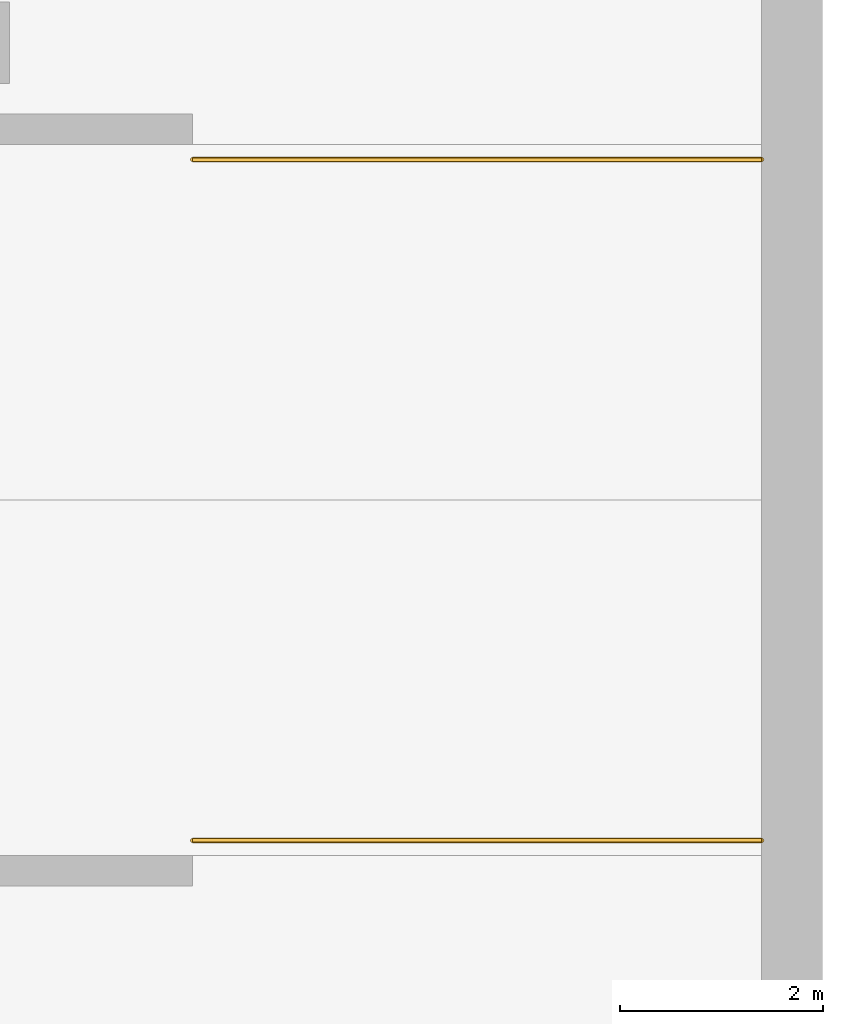
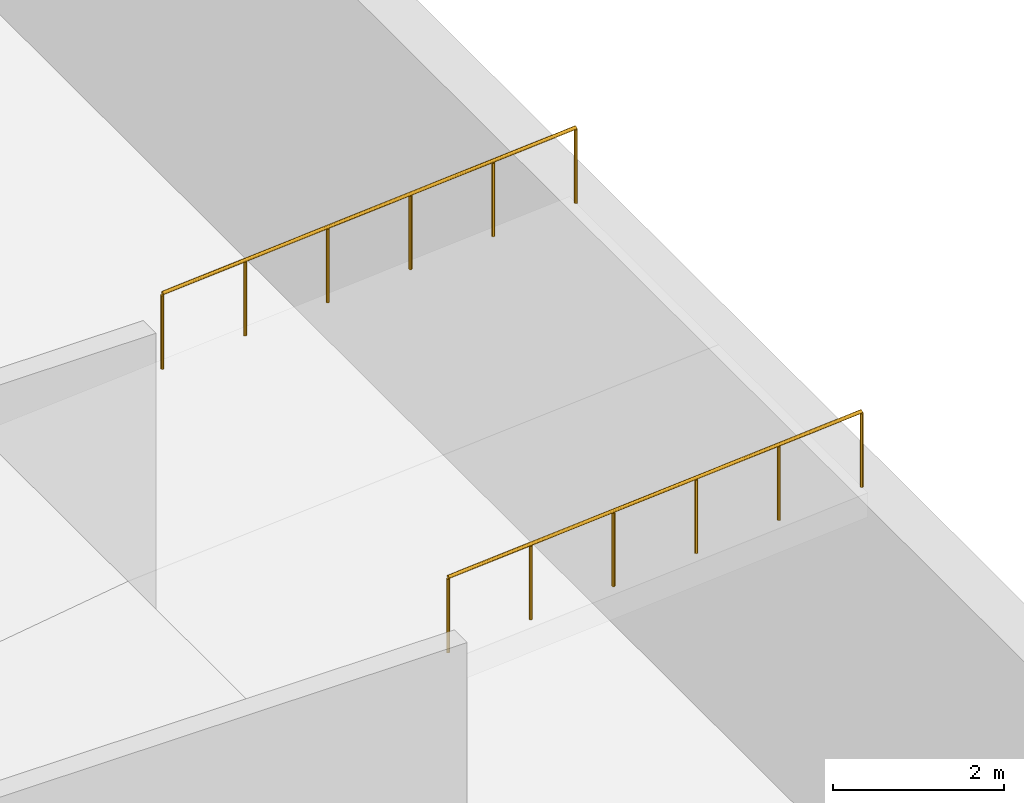
# One storey, part 20 of 20: 2 railings.
"""IFC4 building model written with IfcOpenShell, lengths in metres."""

from ifc_helpers import new_model, si_unit, direction, frame, origin, origin_2d, place, context, subcontext, project, spatial, circle, extrude, material, type_object, element, save


model = new_model("IFC4")

# Units and contexts
model_context = context("Model", 3, precision=1e-05, world=origin(), true_north=direction((0.0, 1.0)))
body_context = subcontext(model_context, "Body", "Model", "MODEL_VIEW")
ifc_project = project(units=[si_unit("LENGTHUNIT", "METRE"), si_unit("AREAUNIT", "SQUARE_METRE"), si_unit("VOLUMEUNIT", "CUBIC_METRE"), si_unit("PLANEANGLEUNIT", "RADIAN"), si_unit("MASSUNIT", "GRAM", prefix="KILO")], contexts=[model_context])

# Site, building, storey
site_placement = place(None, origin())
site = spatial("IfcSite", under=ifc_project, at=site_placement, CompositionType="ELEMENT")
building_placement = place(site_placement, origin())
building = spatial("IfcBuilding", under=site, at=building_placement, Name="Entoto Arch Interchange Tower", CompositionType="ELEMENT")
storey_placement = place(building_placement, frame((0.0, 0.0, -5.5)))
storey = spatial("IfcBuildingStorey", under=building, at=storey_placement, Name="B1", CompositionType="ELEMENT", Elevation=-5.5)

# Railings
ifc_material = material(Name="Steel S355, galvanised", Category="steel")
railing_type = type_object("IfcRailingType", Name="Car ramp guard 1100", PredefinedType="GUARDRAIL", material=ifc_material)
for number, where, name in (
    (1, (60.300048828125, 52.14990234375, 5.5), "Car ramp R1 guard"),
    (2, (60.300048828125, 58.85009765625, 5.5), "Car ramp R1 guard"),
):
    element("IfcRailing", number, at=place(storey_placement, frame(where)), inside=storey, type_object=railing_type, Name=name, PredefinedType="GUARDRAIL", context=body_context, shape_type="SweptSolid", body=[
        extrude(circle(Radius=0.02392578125, at=origin_2d()), frame((0.0, 0.0, 1.076171875), z_axis=(-0.997303227982, 0.0, -0.073391221939), x_axis=(0.0, -1.0, 0.0)), (0.0, 0.0, 1.0), 5.615234375),
        extrude(circle(Radius=0.02099609375, at=origin_2d()), origin(), (0.0, 0.0, 1.0), 1.052001953125),
        extrude(circle(Radius=0.02099609375, at=origin_2d()), frame((-1.1201171875, 0.0, -0.08251953125)), (0.0, 0.0, 1.0), 1.052001953125),
        extrude(circle(Radius=0.02099609375, at=origin_2d()), frame((-2.239990234375, 0.0, -0.164794921875)), (0.0, 0.0, 1.0), 1.052001953125),
        extrude(circle(Radius=0.02099609375, at=origin_2d()), frame((-3.360107421875, 0.0, -0.247314453125)), (0.0, 0.0, 1.0), 1.052001953125),
        extrude(circle(Radius=0.02099609375, at=origin_2d()), frame((-4.47998046875, 0.0, -0.32958984375)), (0.0, 0.0, 1.0), 1.052001953125),
        extrude(circle(Radius=0.02099609375, at=origin_2d()), frame((-5.60009765625, 0.0, -0.412109375)), (0.0, 0.0, 1.0), 1.052001953125),
    ])

save(model, "model.ifc")
